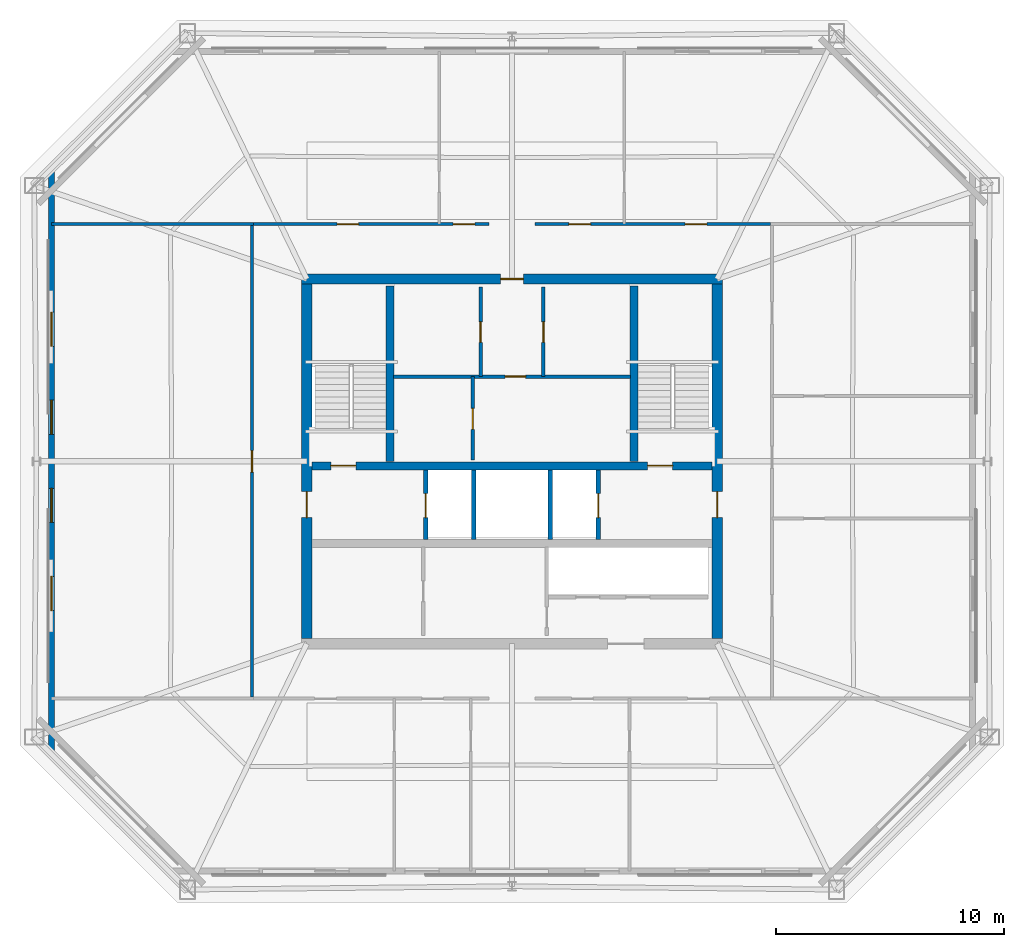
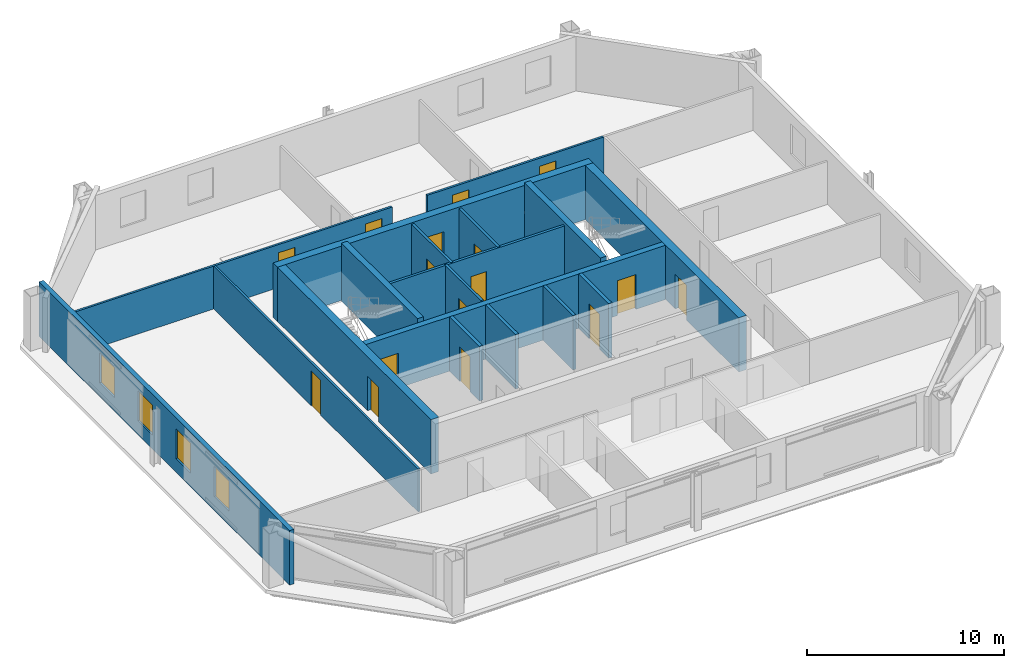
# One storey, part 3 of 6: 19 walls, 16 doors, 4 windows, 20 openings.
"""IFC4 building model written with IfcOpenShell, lengths in metres."""

from ifc_helpers import new_model, si_unit, direction, frame, frame_2d, origin, place, context, subcontext, project, spatial, rectangle, extrude, material, layer, layer_set, type_object, element, fill, save


model = new_model("IFC4")

# Units and contexts
model_context = context("Model", 3, precision=1e-05, world=origin(), true_north=direction((0.0, 1.0)))
body_context = subcontext(model_context, "Body", "Model", "MODEL_VIEW")
ifc_project = project(units=[si_unit("LENGTHUNIT", "METRE"), si_unit("AREAUNIT", "SQUARE_METRE"), si_unit("VOLUMEUNIT", "CUBIC_METRE"), si_unit("PLANEANGLEUNIT", "RADIAN"), si_unit("MASSUNIT", "GRAM", prefix="KILO")], contexts=[model_context])

# Site, building, storey
site_placement = place(None, origin())
site = spatial("IfcSite", under=ifc_project, at=site_placement, CompositionType="ELEMENT")
building_placement = place(site_placement, origin())
building = spatial("IfcBuilding", under=site, at=building_placement, Name="Caelvoria Tower", CompositionType="ELEMENT")
storey_placement = place(building_placement, frame((0.0, 0.0, 209.39990234375)))
storey = spatial("IfcBuildingStorey", under=building, at=storey_placement, Name="L55", CompositionType="ELEMENT", Elevation=209.39990234375)

# Wall, openings, doors
ifc_material_1 = material(Name="Concrete C50/60", Category="concrete")
ifc_layer_1 = layer(ifc_material_1, 0.35009765625, Name="Concrete C50/60")
ifc_layer_set_1 = layer_set([ifc_layer_1], Name="Core Internal Shear Wall 350 - Concrete C50/60")
wall_type_1 = type_object("IfcWallType", Name="Core Internal Shear Wall 350", PredefinedType="SHEAR", material=ifc_layer_set_1)
wall_1_placement = place(storey_placement, frame((37.22509765625, 31.800048828125, 0.0), z_axis=(0.0, 0.0, 1.0), x_axis=(1.0, 0.0, 0.0)))
wall_1 = element("IfcWall", 1, at=wall_1_placement, inside=storey, type_object=wall_type_1, Name="Core Shear Wall L55 M1", PredefinedType="SHEAR", context=body_context, shape_type="SweptSolid", body=[
    extrude(rectangle(XDim=17.5498046875, YDim=0.35009765625, at=frame_2d((8.77490234375, 0.0))), origin(), (0.0, 0.0, 1.0), 3.360107421875),
])
opening_1_placement = place(wall_1_placement, frame((0.824951171875, 0.0, 0.0)))
opening_1 = element("IfcOpeningElement", 2, at=opening_1_placement, cuts=wall_1, Name="Opening ID-01", PredefinedType="OPENING", context=body_context, shape_type="SweptSolid", body=[
    extrude(rectangle(XDim=1.10009765625, YDim=2.14990234375, at=frame_2d((0.550048828125, 1.074951171875))), frame((0.0, 0.18505859375, 0.0), z_axis=(0.0, -1.0, 0.0), x_axis=(1.0, 0.0, 0.0)), (0.0, 0.0, 1.0), 0.3701171875),
])
opening_2_placement = place(wall_1_placement, frame((14.72509765625, 0.0, 0.0)))
opening_2 = element("IfcOpeningElement", 3, at=opening_2_placement, cuts=wall_1, Name="Opening ID-01", PredefinedType="OPENING", context=body_context, shape_type="SweptSolid", body=[
    extrude(rectangle(XDim=1.10009765625, YDim=2.14990234375, at=frame_2d((0.550048828125, 1.074951171875))), frame((0.0, 0.18505859375, 0.0), z_axis=(0.0, -1.0, 0.0), x_axis=(1.0, 0.0, 0.0)), (0.0, 0.0, 1.0), 0.3701171875),
])
ifc_material_2 = material(Name="Painted Hollow Steel Fire Door", Category="steel")
door_type_1 = type_object("IfcDoorType", Name="Fire Door FD90S 1100x2150", OperationType="NOTDEFINED", PredefinedType="DOOR", material=ifc_material_2)
door_1_placement = place(opening_1_placement, origin())
door_1 = element("IfcDoor", 4, at=door_1_placement, inside=storey, type_object=door_type_1, Name="Core Door DR-L55-ST1", OperationType="SINGLE_SWING_LEFT", OverallHeight=2.14990234375, OverallWidth=1.10009765625, PredefinedType="DOOR", context=body_context, shape_type="SweptSolid", body=[
    extrude(rectangle(XDim=1.10009765625, YDim=2.14990234375, at=frame_2d((0.550048828125, 1.074951171875))), frame((0.0, 0.02490234375, 0.0), z_axis=(0.0, -1.0, 0.0), x_axis=(1.0, 0.0, 0.0)), (0.0, 0.0, 1.0), 0.050048828125),
])
fill(opening_1, door_1)
door_2_placement = place(opening_2_placement, origin())
door_2 = element("IfcDoor", 5, at=door_2_placement, inside=storey, type_object=door_type_1, Name="Core Door DR-L55-ST2", OperationType="SINGLE_SWING_RIGHT", OverallHeight=2.14990234375, OverallWidth=1.10009765625, PredefinedType="DOOR", context=body_context, shape_type="SweptSolid", body=[
    extrude(rectangle(XDim=1.10009765625, YDim=2.14990234375, at=frame_2d((0.550048828125, 1.074951171875))), frame((0.0, 0.02490234375, 0.0), z_axis=(0.0, -1.0, 0.0), x_axis=(1.0, 0.0, 0.0)), (0.0, 0.0, 1.0), 0.050048828125),
])
fill(opening_2, door_2)

# Walls
for number, where, z_axis, x_axis, name in (
    (6, (40.64990234375, 32.0, 0.0), (0.0, 0.0, 1.0), (0.0, 1.0, 0.0), "Interior Partition IW-L55-ST1E"),
    (7, (51.35009765625, 32.0, 0.0), (0.0, 0.0, 1.0), (0.0, 1.0, 0.0), "Interior Partition IW-L55-ST2W"),
):
    element("IfcWall", number, at=place(storey_placement, frame(where, z_axis=z_axis, x_axis=x_axis)), inside=storey, type_object=wall_type_1, Name=name, PredefinedType="SHEAR", context=body_context, shape_type="SweptSolid", body=[
        extrude(rectangle(XDim=7.699951171875, YDim=0.35009765625, at=frame_2d((3.85009765625, 0.0))), origin(), (0.0, 0.0, 1.0), 3.60009765625),
    ])

# Wall, opening, door
ifc_material_3 = material(Name="Double Gypsum Board on Steel Stud", Category="steel")
ifc_layer_2 = layer(ifc_material_3, 0.14990234375, Name="Double Gypsum Board on Steel Stud")
ifc_layer_set_2 = layer_set([ifc_layer_2], Name="Core Service Acoustic Partition Wall 150 - Double Gypsum Board on Steel Stud")
wall_type_2 = type_object("IfcWallType", Name="Core Service Acoustic Partition Wall 150", PredefinedType="PARTITIONING", material=ifc_layer_set_2)
wall_2_placement = place(storey_placement, frame((44.6201171875, 35.719970703125, 0.0), z_axis=(0.0, 0.0, 1.0), x_axis=(0.0, 1.0, 0.0)))
wall_2 = element("IfcWall", 8, at=wall_2_placement, inside=storey, type_object=wall_type_2, Name="Interior Partition IW-L55-C0L", PredefinedType="PARTITIONING", context=body_context, shape_type="SweptSolid", body=[
    extrude(rectangle(XDim=3.929931640625, YDim=0.14990234375, at=frame_2d((1.96484375, 0.0))), origin(), (0.0, 0.0, 1.0), 3.375),
])
opening_3_placement = place(wall_2_placement, frame((1.5, 0.0, 0.0)))
opening_3 = element("IfcOpeningElement", 9, at=opening_3_placement, cuts=wall_2, Name="Opening ID-06", PredefinedType="OPENING", context=body_context, shape_type="SweptSolid", body=[
    extrude(rectangle(XDim=0.89990234375, YDim=2.14990234375, at=frame_2d((0.449951171875, 1.074951171875))), frame((0.0, 0.0849609375, 0.0), z_axis=(0.0, -1.0, 0.0), x_axis=(1.0, 0.0, 0.0)), (0.0, 0.0, 1.0), 0.169921875),
])
ifc_material_4 = material(Name="Engineered Andean Oak Veneer Door", Category="wood")
door_type_2 = type_object("IfcDoorType", Name="Interior Timber Door 900x2150", OperationType="NOTDEFINED", PredefinedType="DOOR", material=ifc_material_4)
door_3_placement = place(opening_3_placement, origin())
door_3 = element("IfcDoor", 10, at=door_3_placement, inside=storey, type_object=door_type_2, Name="Interior Door DR-L55-C01", OperationType="SINGLE_SWING_LEFT", OverallHeight=2.14990234375, OverallWidth=0.89990234375, PredefinedType="DOOR", context=body_context, shape_type="SweptSolid", body=[
    extrude(rectangle(XDim=0.89990234375, YDim=2.14990234375, at=frame_2d((0.449951171875, 1.074951171875))), frame((0.0, 0.02490234375, 0.0), z_axis=(0.0, -1.0, 0.0), x_axis=(1.0, 0.0, 0.0)), (0.0, 0.0, 1.0), 0.050048828125),
])
fill(opening_3, door_3)

wall_3_placement = place(storey_placement, frame((47.3798828125, 35.719970703125, 0.0), z_axis=(0.0, 0.0, 1.0), x_axis=(0.0, 1.0, 0.0)))
wall_3 = element("IfcWall", 11, at=wall_3_placement, inside=storey, type_object=wall_type_2, Name="Interior Partition IW-L55-C0R", PredefinedType="PARTITIONING", context=body_context, shape_type="SweptSolid", body=[
    extrude(rectangle(XDim=3.929931640625, YDim=0.14990234375, at=frame_2d((1.96484375, 0.0))), origin(), (0.0, 0.0, 1.0), 3.375),
])
opening_4_placement = place(wall_3_placement, frame((1.5, 0.0, 0.0)))
opening_4 = element("IfcOpeningElement", 12, at=opening_4_placement, cuts=wall_3, Name="Opening ID-06", PredefinedType="OPENING", context=body_context, shape_type="SweptSolid", body=[
    extrude(rectangle(XDim=0.89990234375, YDim=2.14990234375, at=frame_2d((0.449951171875, 1.074951171875))), frame((0.0, 0.0849609375, 0.0), z_axis=(0.0, -1.0, 0.0), x_axis=(1.0, 0.0, 0.0)), (0.0, 0.0, 1.0), 0.169921875),
])
door_4_placement = place(opening_4_placement, origin())
door_4 = element("IfcDoor", 13, at=door_4_placement, inside=storey, type_object=door_type_2, Name="Interior Door DR-L55-C02", OperationType="SINGLE_SWING_RIGHT", OverallHeight=2.14990234375, OverallWidth=0.89990234375, PredefinedType="DOOR", context=body_context, shape_type="SweptSolid", body=[
    extrude(rectangle(XDim=0.89990234375, YDim=2.14990234375, at=frame_2d((0.449951171875, 1.074951171875))), frame((0.0, 0.02490234375, 0.0), z_axis=(0.0, -1.0, 0.0), x_axis=(1.0, 0.0, 0.0)), (0.0, 0.0, 1.0), 0.050048828125),
])
fill(opening_4, door_4)

wall_4_placement = place(storey_placement, frame((44.280029296875, 32.050048828125, 0.0), z_axis=(0.0, 0.0, 1.0), x_axis=(0.0, 1.0, 0.0)))
wall_4 = element("IfcWall", 14, at=wall_4_placement, inside=storey, type_object=wall_type_2, Name="Interior Partition IW-L55-C0M", PredefinedType="PARTITIONING", context=body_context, shape_type="SweptSolid", body=[
    extrude(rectangle(XDim=3.669921875, YDim=0.14990234375, at=frame_2d((1.8349609375, 0.0))), origin(), (0.0, 0.0, 1.0), 3.375),
])
opening_5_placement = place(wall_4_placement, frame((1.35009765625, 0.0, 0.0)))
opening_5 = element("IfcOpeningElement", 15, at=opening_5_placement, cuts=wall_4, Name="Opening ID-07", PredefinedType="OPENING", context=body_context, shape_type="SweptSolid", body=[
    extrude(rectangle(XDim=0.919921875, YDim=2.14990234375, at=frame_2d((0.4599609375, 1.074951171875))), frame((0.0, 0.0849609375, 0.0), z_axis=(0.0, -1.0, 0.0), x_axis=(1.0, 0.0, 0.0)), (0.0, 0.0, 1.0), 0.169921875),
])
ifc_material_5 = material(Name="Engineered Andean Oak Accessible Door", Category="wood")
door_type_3 = type_object("IfcDoorType", Name="Accessible WC Door 950x2150", OperationType="NOTDEFINED", PredefinedType="DOOR", material=ifc_material_5)
door_5_placement = place(opening_5_placement, origin())
door_5 = element("IfcDoor", 16, at=door_5_placement, inside=storey, type_object=door_type_3, Name="Interior Door DR-L55-C05", OperationType="SINGLE_SWING_LEFT", OverallHeight=2.14990234375, OverallWidth=0.919921875, PredefinedType="DOOR", context=body_context, shape_type="SweptSolid", body=[
    extrude(rectangle(XDim=0.919921875, YDim=2.14990234375, at=frame_2d((0.4599609375, 1.074951171875))), frame((0.0, 0.02490234375, 0.0), z_axis=(0.0, -1.0, 0.0), x_axis=(1.0, 0.0, 0.0)), (0.0, 0.0, 1.0), 0.050048828125),
])
fill(opening_5, door_5)

wall_5_placement = place(storey_placement, frame((40.800048828125, 35.719970703125, 0.0), z_axis=(0.0, 0.0, 1.0), x_axis=(1.0, 0.0, 0.0)))
wall_5 = element("IfcWall", 17, at=wall_5_placement, inside=storey, type_object=wall_type_2, Name="Interior Partition IW-L55-C0H", PredefinedType="PARTITIONING", context=body_context, shape_type="SweptSolid", body=[
    extrude(rectangle(XDim=10.39990234375, YDim=0.14990234375, at=frame_2d((5.199951171875, 0.0))), origin(), (0.0, 0.0, 1.0), 3.375),
])
opening_6_placement = place(wall_5_placement, frame((4.89990234375, 0.0, 0.0)))
opening_6 = element("IfcOpeningElement", 18, at=opening_6_placement, cuts=wall_5, Name="Opening ID-04", PredefinedType="OPENING", context=body_context, shape_type="SweptSolid", body=[
    extrude(rectangle(XDim=0.89990234375, YDim=2.14990234375, at=frame_2d((0.449951171875, 1.074951171875))), frame((0.0, 0.0849609375, 0.0), z_axis=(0.0, -1.0, 0.0), x_axis=(1.0, 0.0, 0.0)), (0.0, 0.0, 1.0), 0.169921875),
])
ifc_material_6 = material(Name="Acoustic Timber Fire Door", Category="wood")
door_type_4 = type_object("IfcDoorType", Name="Fire Door FD30S 900x2150", OperationType="NOTDEFINED", PredefinedType="DOOR", material=ifc_material_6)
door_6_placement = place(opening_6_placement, origin())
door_6 = element("IfcDoor", 19, at=door_6_placement, inside=storey, type_object=door_type_4, Name="Interior Door DR-L55-C04", OperationType="SINGLE_SWING_RIGHT", OverallHeight=2.14990234375, OverallWidth=0.89990234375, PredefinedType="DOOR", context=body_context, shape_type="SweptSolid", body=[
    extrude(rectangle(XDim=0.89990234375, YDim=2.14990234375, at=frame_2d((0.449951171875, 1.074951171875))), frame((0.0, 0.02490234375, 0.0), z_axis=(0.0, -1.0, 0.0), x_axis=(1.0, 0.0, 0.0)), (0.0, 0.0, 1.0), 0.050048828125),
])
fill(opening_6, door_6)

# Walls
ifc_material_7 = material(Name="Concrete Block and Fireboard Assembly", Category="concrete")
ifc_layer_3 = layer(ifc_material_7, 0.179931640625, Name="Concrete Block and Fireboard Assembly")
ifc_layer_set_3 = layer_set([ifc_layer_3], Name="Fire-Rated Hoistway Partition Wall 180 - Concrete Block and Fireboard Assembly")
wall_type_3 = type_object("IfcWallType", Name="Fire-Rated Hoistway Partition Wall 180", PredefinedType="PARTITIONING", material=ifc_layer_set_3)
for number, where, z_axis, x_axis, name in (
    (20, (44.320068359375, 28.580078125, 0.0), (0.0, 0.0, 1.0), (0.0, 1.0, 0.0), "Interior Partition IW-L55-SV1W"),
    (21, (47.679931640625, 28.580078125, 0.0), (0.0, 0.0, 1.0), (0.0, 1.0, 0.0), "Interior Partition IW-L55-SV1E"),
):
    element("IfcWall", number, at=place(storey_placement, frame(where, z_axis=z_axis, x_axis=x_axis)), inside=storey, type_object=wall_type_3, Name=name, PredefinedType="PARTITIONING", context=body_context, shape_type="SweptSolid", body=[
        extrude(rectangle(XDim=3.0400390625, YDim=0.179931640625, at=frame_2d((1.52001953125, 0.0))), origin(), (0.0, 0.0, 1.0), 3.375),
    ])

# Wall, opening, door
ifc_layer_4 = layer(ifc_material_7, 0.199951171875, Name="Concrete Block and Fireboard Assembly")
ifc_layer_set_4 = layer_set([ifc_layer_4], Name="Fire-Rated Shaft and Core Partition Wall 200 - Concrete Block and Fireboard Assembly")
wall_type_4 = type_object("IfcWallType", Name="Fire-Rated Shaft and Core Partition Wall 200", PredefinedType="PARTITIONING", material=ifc_layer_set_4)
wall_6_placement = place(storey_placement, frame((42.219970703125, 28.580078125, 0.0), z_axis=(0.0, 0.0, 1.0), x_axis=(0.0, 1.0, 0.0)))
wall_6 = element("IfcWall", 22, at=wall_6_placement, inside=storey, type_object=wall_type_4, Name="Interior Partition IW-L55-LF1W", PredefinedType="PARTITIONING", context=body_context, shape_type="SweptSolid", body=[
    extrude(rectangle(XDim=3.0400390625, YDim=0.199951171875, at=frame_2d((1.52001953125, 0.0))), origin(), (0.0, 0.0, 1.0), 3.375),
])
opening_7_placement = place(wall_6_placement, frame((0.949951171875, 0.0, 0.0)))
opening_7 = element("IfcOpeningElement", 23, at=opening_7_placement, cuts=wall_6, Name="Opening LD-01", PredefinedType="OPENING", context=body_context, shape_type="SweptSolid", body=[
    extrude(rectangle(XDim=1.050048828125, YDim=2.14990234375, at=frame_2d((0.52490234375, 1.074951171875))), frame((0.0, 0.10986328125, 0.0), z_axis=(0.0, -1.0, 0.0), x_axis=(1.0, 0.0, 0.0)), (0.0, 0.0, 1.0), 0.219970703125),
])
ifc_material_8 = material(Name="Brushed Bronze Stainless Sliding Landing Door", Category="aluminium")
door_type_5 = type_object("IfcDoorType", Name="Lift Landing Sliding Door 1100x2150", OperationType="NOTDEFINED", PredefinedType="DOOR", material=ifc_material_8)
door_7_placement = place(opening_7_placement, origin())
door_7 = element("IfcDoor", 24, at=door_7_placement, inside=storey, type_object=door_type_5, Name="Interior Door LD-L55-LF1", OperationType="SLIDING_TO_LEFT", OverallHeight=2.14990234375, OverallWidth=1.050048828125, PredefinedType="DOOR", context=body_context, shape_type="SweptSolid", body=[
    extrude(rectangle(XDim=1.050048828125, YDim=2.14990234375, at=frame_2d((0.52490234375, 1.074951171875))), frame((0.0, 0.02490234375, 0.0), z_axis=(0.0, -1.0, 0.0), x_axis=(1.0, 0.0, 0.0)), (0.0, 0.0, 1.0), 0.050048828125),
])
fill(opening_7, door_7)

wall_7_placement = place(storey_placement, frame((49.780029296875, 28.580078125, 0.0), z_axis=(0.0, 0.0, 1.0), x_axis=(0.0, 1.0, 0.0)))
wall_7 = element("IfcWall", 25, at=wall_7_placement, inside=storey, type_object=wall_type_4, Name="Interior Partition IW-L55-LF2E", PredefinedType="PARTITIONING", context=body_context, shape_type="SweptSolid", body=[
    extrude(rectangle(XDim=3.0400390625, YDim=0.199951171875, at=frame_2d((1.52001953125, 0.0))), origin(), (0.0, 0.0, 1.0), 3.375),
])
opening_8_placement = place(wall_7_placement, frame((0.949951171875, 0.0, 0.0)))
opening_8 = element("IfcOpeningElement", 26, at=opening_8_placement, cuts=wall_7, Name="Opening LD-01", PredefinedType="OPENING", context=body_context, shape_type="SweptSolid", body=[
    extrude(rectangle(XDim=1.050048828125, YDim=2.14990234375, at=frame_2d((0.52490234375, 1.074951171875))), frame((0.0, 0.10986328125, 0.0), z_axis=(0.0, -1.0, 0.0), x_axis=(1.0, 0.0, 0.0)), (0.0, 0.0, 1.0), 0.219970703125),
])
door_8_placement = place(opening_8_placement, origin())
door_8 = element("IfcDoor", 27, at=door_8_placement, inside=storey, type_object=door_type_5, Name="Interior Door LD-L55-LF2", OperationType="SLIDING_TO_RIGHT", OverallHeight=2.14990234375, OverallWidth=1.050048828125, PredefinedType="DOOR", context=body_context, shape_type="SweptSolid", body=[
    extrude(rectangle(XDim=1.050048828125, YDim=2.14990234375, at=frame_2d((0.52490234375, 1.074951171875))), frame((0.0, 0.02490234375, 0.0), z_axis=(0.0, -1.0, 0.0), x_axis=(1.0, 0.0, 0.0)), (0.0, 0.0, 1.0), 0.050048828125),
])
fill(opening_8, door_8)

# Wall, openings, doors
ifc_material_9 = material(Name="Acoustic Gypsum Board on Light-Gauge Stud", Category="gypsum")
ifc_layer_5 = layer(ifc_material_9, 0.1201171875, Name="Acoustic Gypsum Board on Light-Gauge Stud")
ifc_layer_set_5 = layer_set([ifc_layer_5], Name="Tenant Suite Acoustic Partition Wall 120 - Acoustic Gypsum Board on Light-Gauge Stud")
wall_type_5 = type_object("IfcWallType", Name="Tenant Suite Acoustic Partition Wall 120", PredefinedType="PARTITIONING", material=ifc_layer_set_5)
wall_8_placement = place(storey_placement, frame((34.64990234375, 42.409912109375, 0.0), z_axis=(0.0, 0.0, 1.0), x_axis=(1.0, 0.0, 0.0)))
wall_8 = element("IfcWall", 28, at=wall_8_placement, inside=storey, type_object=wall_type_5, Name="Interior Partition IW-L55-NCW-0", PredefinedType="PARTITIONING", context=body_context, shape_type="SweptSolid", body=[
    extrude(rectangle(XDim=10.330078125, YDim=0.1201171875, at=frame_2d((5.1650390625, 0.0))), origin(), (0.0, 0.0, 1.0), 2.655029296875),
])
opening_9_placement = place(wall_8_placement, frame((3.673583984375, 0.0, 0.0)))
opening_9 = element("IfcOpeningElement", 29, at=opening_9_placement, cuts=wall_8, Name="Opening ID-05", PredefinedType="OPENING", context=body_context, shape_type="SweptSolid", body=[
    extrude(rectangle(XDim=0.949951171875, YDim=2.14990234375, at=frame_2d((0.47509765625, 1.074951171875))), frame((0.0, 0.070068359375, 0.0), z_axis=(0.0, -1.0, 0.0), x_axis=(1.0, 0.0, 0.0)), (0.0, 0.0, 1.0), 0.14013671875),
])
opening_10_placement = place(wall_8_placement, frame((8.768798828125, 0.0, 0.0)))
opening_10 = element("IfcOpeningElement", 30, at=opening_10_placement, cuts=wall_8, Name="Opening ID-05", PredefinedType="OPENING", context=body_context, shape_type="SweptSolid", body=[
    extrude(rectangle(XDim=0.949951171875, YDim=2.14990234375, at=frame_2d((0.47509765625, 1.074951171875))), frame((0.0, 0.070068359375, 0.0), z_axis=(0.0, -1.0, 0.0), x_axis=(1.0, 0.0, 0.0)), (0.0, 0.0, 1.0), 0.14013671875),
])
door_type_6 = type_object("IfcDoorType", Name="Interior Timber Door 950x2150", OperationType="NOTDEFINED", PredefinedType="DOOR", material=ifc_material_4)
door_9_placement = place(opening_9_placement, origin())
door_9 = element("IfcDoor", 31, at=door_9_placement, inside=storey, type_object=door_type_6, Name="Interior Door DR-L55-NC-00-0", OperationType="SINGLE_SWING_RIGHT", OverallHeight=2.14990234375, OverallWidth=0.949951171875, PredefinedType="DOOR", context=body_context, shape_type="SweptSolid", body=[
    extrude(rectangle(XDim=0.949951171875, YDim=2.14990234375, at=frame_2d((0.47509765625, 1.074951171875))), frame((0.0, 0.02490234375, 0.0), z_axis=(0.0, -1.0, 0.0), x_axis=(1.0, 0.0, 0.0)), (0.0, 0.0, 1.0), 0.050048828125),
])
fill(opening_9, door_9)
door_10_placement = place(opening_10_placement, origin())
door_10 = element("IfcDoor", 32, at=door_10_placement, inside=storey, type_object=door_type_6, Name="Interior Door DR-L55-NC-01-0", OperationType="SINGLE_SWING_LEFT", OverallHeight=2.14990234375, OverallWidth=0.949951171875, PredefinedType="DOOR", context=body_context, shape_type="SweptSolid", body=[
    extrude(rectangle(XDim=0.949951171875, YDim=2.14990234375, at=frame_2d((0.47509765625, 1.074951171875))), frame((0.0, 0.02490234375, 0.0), z_axis=(0.0, -1.0, 0.0), x_axis=(1.0, 0.0, 0.0)), (0.0, 0.0, 1.0), 0.050048828125),
])
fill(opening_10, door_10)

wall_9_placement = place(storey_placement, frame((47.02001953125, 42.409912109375, 0.0), z_axis=(0.0, 0.0, 1.0), x_axis=(1.0, 0.0, 0.0)))
wall_9 = element("IfcWall", 33, at=wall_9_placement, inside=storey, type_object=wall_type_5, Name="Interior Partition IW-L55-NCW-1", PredefinedType="PARTITIONING", context=body_context, shape_type="SweptSolid", body=[
    extrude(rectangle(XDim=10.330078125, YDim=0.1201171875, at=frame_2d((5.1650390625, 0.0))), origin(), (0.0, 0.0, 1.0), 2.655029296875),
])
opening_11_placement = place(wall_9_placement, frame((1.480224609375, 0.0, 0.0)))
opening_11 = element("IfcOpeningElement", 34, at=opening_11_placement, cuts=wall_9, Name="Opening ID-05", PredefinedType="OPENING", context=body_context, shape_type="SweptSolid", body=[
    extrude(rectangle(XDim=0.949951171875, YDim=2.14990234375, at=frame_2d((0.47509765625, 1.074951171875))), frame((0.0, 0.070068359375, 0.0), z_axis=(0.0, -1.0, 0.0), x_axis=(1.0, 0.0, 0.0)), (0.0, 0.0, 1.0), 0.14013671875),
])
opening_12_placement = place(wall_9_placement, frame((6.5751953125, 0.0, 0.0)))
opening_12 = element("IfcOpeningElement", 35, at=opening_12_placement, cuts=wall_9, Name="Opening ID-05", PredefinedType="OPENING", context=body_context, shape_type="SweptSolid", body=[
    extrude(rectangle(XDim=0.949951171875, YDim=2.14990234375, at=frame_2d((0.47509765625, 1.074951171875))), frame((0.0, 0.070068359375, 0.0), z_axis=(0.0, -1.0, 0.0), x_axis=(1.0, 0.0, 0.0)), (0.0, 0.0, 1.0), 0.14013671875),
])
door_11_placement = place(opening_11_placement, origin())
door_11 = element("IfcDoor", 36, at=door_11_placement, inside=storey, type_object=door_type_6, Name="Interior Door DR-L55-NC-01-1", OperationType="SINGLE_SWING_RIGHT", OverallHeight=2.14990234375, OverallWidth=0.949951171875, PredefinedType="DOOR", context=body_context, shape_type="SweptSolid", body=[
    extrude(rectangle(XDim=0.949951171875, YDim=2.14990234375, at=frame_2d((0.47509765625, 1.074951171875))), frame((0.0, 0.02490234375, 0.0), z_axis=(0.0, -1.0, 0.0), x_axis=(1.0, 0.0, 0.0)), (0.0, 0.0, 1.0), 0.050048828125),
])
fill(opening_11, door_11)
door_12_placement = place(opening_12_placement, origin())
door_12 = element("IfcDoor", 37, at=door_12_placement, inside=storey, type_object=door_type_6, Name="Interior Door DR-L55-NC-02-0", OperationType="SINGLE_SWING_RIGHT", OverallHeight=2.14990234375, OverallWidth=0.949951171875, PredefinedType="DOOR", context=body_context, shape_type="SweptSolid", body=[
    extrude(rectangle(XDim=0.949951171875, YDim=2.14990234375, at=frame_2d((0.47509765625, 1.074951171875))), frame((0.0, 0.02490234375, 0.0), z_axis=(0.0, -1.0, 0.0), x_axis=(1.0, 0.0, 0.0)), (0.0, 0.0, 1.0), 0.050048828125),
])
fill(opening_12, door_12)

# Wall, opening, door
wall_10_placement = place(storey_placement, frame((34.590087890625, 21.64990234375, 0.0), z_axis=(0.0, 0.0, 1.0), x_axis=(0.0, 1.0, 0.0)))
wall_10 = element("IfcWall", 38, at=wall_10_placement, inside=storey, type_object=wall_type_5, Name="Interior Partition IW-L55-WCW-0", PredefinedType="PARTITIONING", context=body_context, shape_type="SweptSolid", body=[
    extrude(rectangle(XDim=20.7001953125, YDim=0.1201171875, at=frame_2d((10.35009765625, 0.0))), origin(), (0.0, 0.0, 1.0), 2.655029296875),
])
opening_13_placement = place(wall_10_placement, frame((9.875, 0.0, 0.0)))
opening_13 = element("IfcOpeningElement", 39, at=opening_13_placement, cuts=wall_10, Name="Opening ID-05", PredefinedType="OPENING", context=body_context, shape_type="SweptSolid", body=[
    extrude(rectangle(XDim=0.949951171875, YDim=2.14990234375, at=frame_2d((0.47509765625, 1.074951171875))), frame((0.0, 0.070068359375, 0.0), z_axis=(0.0, -1.0, 0.0), x_axis=(1.0, 0.0, 0.0)), (0.0, 0.0, 1.0), 0.14013671875),
])
door_13_placement = place(opening_13_placement, origin())
door_13 = element("IfcDoor", 40, at=door_13_placement, inside=storey, type_object=door_type_6, Name="Interior Door DR-L55-WC-00-0", OperationType="SINGLE_SWING_RIGHT", OverallHeight=2.14990234375, OverallWidth=0.949951171875, PredefinedType="DOOR", context=body_context, shape_type="SweptSolid", body=[
    extrude(rectangle(XDim=0.949951171875, YDim=2.14990234375, at=frame_2d((0.47509765625, 1.074951171875))), frame((0.0, 0.02490234375, 0.0), z_axis=(0.0, -1.0, 0.0), x_axis=(1.0, 0.0, 0.0)), (0.0, 0.0, 1.0), 0.050048828125),
])
fill(opening_13, door_13)

# Wall
wall_11_placement = place(storey_placement, frame((34.64990234375, 42.409912109375, 0.0), z_axis=(0.0, 0.0, 1.0), x_axis=(-1.0, 0.0, 0.0)))
element("IfcWall", 41, at=wall_11_placement, inside=storey, type_object=wall_type_5, Name="Interior Partition IW-L55-BNW-0", PredefinedType="PARTITIONING", context=body_context, shape_type="SweptSolid", body=[
    extrude(rectangle(XDim=8.856201171875, YDim=0.1201171875, at=frame_2d((4.42822265625, 0.0))), origin(), (0.0, 0.0, 1.0), 2.655029296875),
])

# Wall, opening, door
ifc_layer_6 = layer(ifc_material_1, 0.449951171875, Name="Concrete C50/60")
ifc_layer_set_6 = layer_set([ifc_layer_6], Name="Upper Core Shear Wall 450 - Concrete C50/60")
wall_type_6 = type_object("IfcWallType", Name="Upper Core Shear Wall 450", PredefinedType="SHEAR", material=ifc_layer_set_6)
wall_12_placement = place(storey_placement, frame((36.77490234375, 40.0, 0.0), z_axis=(0.0, 0.0, 1.0), x_axis=(1.0, 0.0, 0.0)))
wall_12 = element("IfcWall", 42, at=wall_12_placement, inside=storey, type_object=wall_type_6, Name="Core Shear Wall L55 N", PredefinedType="SHEAR", context=body_context, shape_type="SweptSolid", body=[
    extrude(rectangle(XDim=18.4501953125, YDim=0.449951171875, at=frame_2d((9.22509765625, 0.0))), origin(), (0.0, 0.0, 1.0), 3.360107421875),
])
opening_14_placement = place(wall_12_placement, frame((8.72509765625, 0.0, 0.0)))
opening_14 = element("IfcOpeningElement", 43, at=opening_14_placement, cuts=wall_12, Name="Opening ID-03", PredefinedType="OPENING", context=body_context, shape_type="SweptSolid", body=[
    extrude(rectangle(XDim=1.0, YDim=2.14990234375, at=frame_2d((0.5, 1.074951171875))), frame((0.0, 0.23486328125, 0.0), z_axis=(0.0, -1.0, 0.0), x_axis=(1.0, 0.0, 0.0)), (0.0, 0.0, 1.0), 0.469970703125),
])
door_type_7 = type_object("IfcDoorType", Name="Fire Door FD60S 1000x2150", OperationType="NOTDEFINED", PredefinedType="DOOR", material=ifc_material_2)
door_14_placement = place(opening_14_placement, origin())
door_14 = element("IfcDoor", 44, at=door_14_placement, inside=storey, type_object=door_type_7, Name="Core Door DR-L55-WC-MAIN", OperationType="SINGLE_SWING_RIGHT", OverallHeight=2.14990234375, OverallWidth=1.0, PredefinedType="DOOR", context=body_context, shape_type="SweptSolid", body=[
    extrude(rectangle(XDim=1.0, YDim=2.14990234375, at=frame_2d((0.5, 1.074951171875))), frame((0.0, 0.02490234375, 0.0), z_axis=(0.0, -1.0, 0.0), x_axis=(1.0, 0.0, 0.0)), (0.0, 0.0, 1.0), 0.050048828125),
])
fill(opening_14, door_14)

wall_13_placement = place(storey_placement, frame((37.0, 24.22509765625, 0.0), z_axis=(0.0, 0.0, 1.0), x_axis=(0.0, 1.0, 0.0)))
wall_13 = element("IfcWall", 45, at=wall_13_placement, inside=storey, type_object=wall_type_6, Name="Core Shear Wall L55 W", PredefinedType="SHEAR", context=body_context, shape_type="SweptSolid", body=[
    extrude(rectangle(XDim=15.5498046875, YDim=0.449951171875, at=frame_2d((7.77490234375, 0.0))), origin(), (0.0, 0.0, 1.0), 3.360107421875),
])
opening_15_placement = place(wall_13_placement, frame((5.300048828125, 0.0, 0.0)))
opening_15 = element("IfcOpeningElement", 46, at=opening_15_placement, cuts=wall_13, Name="Opening ID-02", PredefinedType="OPENING", context=body_context, shape_type="SweptSolid", body=[
    extrude(rectangle(XDim=1.14990234375, YDim=2.14990234375, at=frame_2d((0.574951171875, 1.074951171875))), frame((0.0, 0.23486328125, 0.0), z_axis=(0.0, -1.0, 0.0), x_axis=(1.0, 0.0, 0.0)), (0.0, 0.0, 1.0), 0.469970703125),
])
door_type_8 = type_object("IfcDoorType", Name="Fire Door FD60S 1150x2150", OperationType="NOTDEFINED", PredefinedType="DOOR", material=ifc_material_2)
door_15_placement = place(opening_15_placement, origin())
door_15 = element("IfcDoor", 47, at=door_15_placement, inside=storey, type_object=door_type_8, Name="Core Door DR-L55-FFLW-OUT", OperationType="SINGLE_SWING_LEFT", OverallHeight=2.14990234375, OverallWidth=1.14990234375, PredefinedType="DOOR", context=body_context, shape_type="SweptSolid", body=[
    extrude(rectangle(XDim=1.14990234375, YDim=2.14990234375, at=frame_2d((0.574951171875, 1.074951171875))), frame((0.0, 0.02490234375, 0.0), z_axis=(0.0, -1.0, 0.0), x_axis=(1.0, 0.0, 0.0)), (0.0, 0.0, 1.0), 0.050048828125),
])
fill(opening_15, door_15)

wall_14_placement = place(storey_placement, frame((55.0, 24.22509765625, 0.0), z_axis=(0.0, 0.0, 1.0), x_axis=(0.0, 1.0, 0.0)))
wall_14 = element("IfcWall", 48, at=wall_14_placement, inside=storey, type_object=wall_type_6, Name="Core Shear Wall L55 E", PredefinedType="SHEAR", context=body_context, shape_type="SweptSolid", body=[
    extrude(rectangle(XDim=15.5498046875, YDim=0.449951171875, at=frame_2d((7.77490234375, 0.0))), origin(), (0.0, 0.0, 1.0), 3.360107421875),
])
opening_16_placement = place(wall_14_placement, frame((5.300048828125, 0.0, 0.0)))
opening_16 = element("IfcOpeningElement", 49, at=opening_16_placement, cuts=wall_14, Name="Opening ID-02", PredefinedType="OPENING", context=body_context, shape_type="SweptSolid", body=[
    extrude(rectangle(XDim=1.14990234375, YDim=2.14990234375, at=frame_2d((0.574951171875, 1.074951171875))), frame((0.0, 0.23486328125, 0.0), z_axis=(0.0, -1.0, 0.0), x_axis=(1.0, 0.0, 0.0)), (0.0, 0.0, 1.0), 0.469970703125),
])
door_16_placement = place(opening_16_placement, origin())
door_16 = element("IfcDoor", 50, at=door_16_placement, inside=storey, type_object=door_type_8, Name="Core Door DR-L55-FFLE-OUT", OperationType="SINGLE_SWING_RIGHT", OverallHeight=2.14990234375, OverallWidth=1.14990234375, PredefinedType="DOOR", context=body_context, shape_type="SweptSolid", body=[
    extrude(rectangle(XDim=1.14990234375, YDim=2.14990234375, at=frame_2d((0.574951171875, 1.074951171875))), frame((0.0, 0.02490234375, 0.0), z_axis=(0.0, -1.0, 0.0), x_axis=(1.0, 0.0, 0.0)), (0.0, 0.0, 1.0), 0.050048828125),
])
fill(opening_16, door_16)

# Wall, openings, windows
ifc_material_10 = material(Name="Precast Concrete C40/50 with Bronze Cladding", Category="concrete")
ifc_layer_7 = layer(ifc_material_10, 0.264892578125, Name="Precast Concrete C40/50 with Bronze Cladding")
ifc_layer_set_7 = layer_set([ifc_layer_7], Name="Upper Taper Precast Concrete C40/50 Bronze Facade Wall 265 - Precast Concrete C40/50 with Bronze Cladding")
wall_type_7 = type_object("IfcWallType", Name="Upper Taper Precast Concrete C40/50 Bronze Facade Wall 265", PredefinedType="STANDARD", material=ifc_layer_set_7)
wall_15_placement = place(storey_placement, frame((25.793701171875, 44.694580078125, 0.0), z_axis=(0.0, 0.0, 1.0), x_axis=(0.0, -1.0, 0.0)))
wall_15 = element("IfcWall", 51, at=wall_15_placement, inside=storey, type_object=wall_type_7, Name="Exterior Facade Wall L55-E6", PredefinedType="STANDARD", context=body_context, shape_type="SweptSolid", body=[
    extrude(rectangle(XDim=25.38916015625, YDim=0.264892578125, at=frame_2d((12.694580078125, 0.0))), origin(), (0.0, 0.0, 1.0), 3.375),
])
opening_17_placement = place(wall_15_placement, frame((6.147216796875, 0.0, 0.85009765625)))
opening_17 = element("IfcOpeningElement", 52, at=opening_17_placement, cuts=wall_15, Name="Opening WN-03", PredefinedType="OPENING", context=body_context, shape_type="SweptSolid", body=[
    extrude(rectangle(XDim=1.5, YDim=1.85009765625, at=frame_2d((0.75, 0.925048828125))), frame((0.0, 0.142333984375, 0.0), z_axis=(0.0, -1.0, 0.0), x_axis=(1.0, 0.0, 0.0)), (0.0, 0.0, 1.0), 0.284912109375),
])
opening_18_placement = place(wall_15_placement, frame((10.01220703125, 0.0, 0.85009765625)))
opening_18 = element("IfcOpeningElement", 53, at=opening_18_placement, cuts=wall_15, Name="Opening WN-03", PredefinedType="OPENING", context=body_context, shape_type="SweptSolid", body=[
    extrude(rectangle(XDim=1.5, YDim=1.85009765625, at=frame_2d((0.75, 0.925048828125))), frame((0.0, 0.142333984375, 0.0), z_axis=(0.0, -1.0, 0.0), x_axis=(1.0, 0.0, 0.0)), (0.0, 0.0, 1.0), 0.284912109375),
])
opening_19_placement = place(wall_15_placement, frame((13.876953125, 0.0, 0.85009765625)))
opening_19 = element("IfcOpeningElement", 54, at=opening_19_placement, cuts=wall_15, Name="Opening WN-03", PredefinedType="OPENING", context=body_context, shape_type="SweptSolid", body=[
    extrude(rectangle(XDim=1.5, YDim=1.85009765625, at=frame_2d((0.75, 0.925048828125))), frame((0.0, 0.142333984375, 0.0), z_axis=(0.0, -1.0, 0.0), x_axis=(1.0, 0.0, 0.0)), (0.0, 0.0, 1.0), 0.284912109375),
])
opening_20_placement = place(wall_15_placement, frame((17.74169921875, 0.0, 0.85009765625)))
opening_20 = element("IfcOpeningElement", 55, at=opening_20_placement, cuts=wall_15, Name="Opening WN-03", PredefinedType="OPENING", context=body_context, shape_type="SweptSolid", body=[
    extrude(rectangle(XDim=1.5, YDim=1.85009765625, at=frame_2d((0.75, 0.925048828125))), frame((0.0, 0.142333984375, 0.0), z_axis=(0.0, -1.0, 0.0), x_axis=(1.0, 0.0, 0.0)), (0.0, 0.0, 1.0), 0.284912109375),
])
ifc_material_11 = material(Name="Low-E Tinted Glass in Bronze Aluminium Frame", Category="aluminium")
window_type = type_object("IfcWindowType", Name="Upper Taper Vision Window 1500x1850", PartitioningType="SINGLE_PANEL", PredefinedType="WINDOW", material=ifc_material_11)
window_1_placement = place(opening_17_placement, origin())
window_1 = element("IfcWindow", 56, at=window_1_placement, inside=storey, type_object=window_type, Name="Facade Window L55-E6-01", OverallHeight=1.85009765625, OverallWidth=1.5, PartitioningType="SINGLE_PANEL", PredefinedType="WINDOW", context=body_context, shape_type="SweptSolid", body=[
    extrude(rectangle(XDim=1.5, YDim=1.85009765625, at=frame_2d((0.75, 0.925048828125))), frame((0.0, 0.030029296875, 0.0), z_axis=(0.0, -1.0, 0.0), x_axis=(1.0, 0.0, 0.0)), (0.0, 0.0, 1.0), 0.06005859375),
])
fill(opening_17, window_1)
window_2_placement = place(opening_18_placement, origin())
window_2 = element("IfcWindow", 57, at=window_2_placement, inside=storey, type_object=window_type, Name="Facade Window L55-E6-02", OverallHeight=1.85009765625, OverallWidth=1.5, PartitioningType="SINGLE_PANEL", PredefinedType="WINDOW", context=body_context, shape_type="SweptSolid", body=[
    extrude(rectangle(XDim=1.5, YDim=1.85009765625, at=frame_2d((0.75, 0.925048828125))), frame((0.0, 0.030029296875, 0.0), z_axis=(0.0, -1.0, 0.0), x_axis=(1.0, 0.0, 0.0)), (0.0, 0.0, 1.0), 0.06005859375),
])
fill(opening_18, window_2)
window_3_placement = place(opening_19_placement, origin())
window_3 = element("IfcWindow", 58, at=window_3_placement, inside=storey, type_object=window_type, Name="Facade Window L55-E6-03", OverallHeight=1.85009765625, OverallWidth=1.5, PartitioningType="SINGLE_PANEL", PredefinedType="WINDOW", context=body_context, shape_type="SweptSolid", body=[
    extrude(rectangle(XDim=1.5, YDim=1.85009765625, at=frame_2d((0.75, 0.925048828125))), frame((0.0, 0.030029296875, 0.0), z_axis=(0.0, -1.0, 0.0), x_axis=(1.0, 0.0, 0.0)), (0.0, 0.0, 1.0), 0.06005859375),
])
fill(opening_19, window_3)
window_4_placement = place(opening_20_placement, origin())
window_4 = element("IfcWindow", 59, at=window_4_placement, inside=storey, type_object=window_type, Name="Facade Window L55-E6-04", OverallHeight=1.85009765625, OverallWidth=1.5, PartitioningType="SINGLE_PANEL", PredefinedType="WINDOW", context=body_context, shape_type="SweptSolid", body=[
    extrude(rectangle(XDim=1.5, YDim=1.85009765625, at=frame_2d((0.75, 0.925048828125))), frame((0.0, 0.030029296875, 0.0), z_axis=(0.0, -1.0, 0.0), x_axis=(1.0, 0.0, 0.0)), (0.0, 0.0, 1.0), 0.06005859375),
])
fill(opening_20, window_4)

save(model, "model.ifc")
